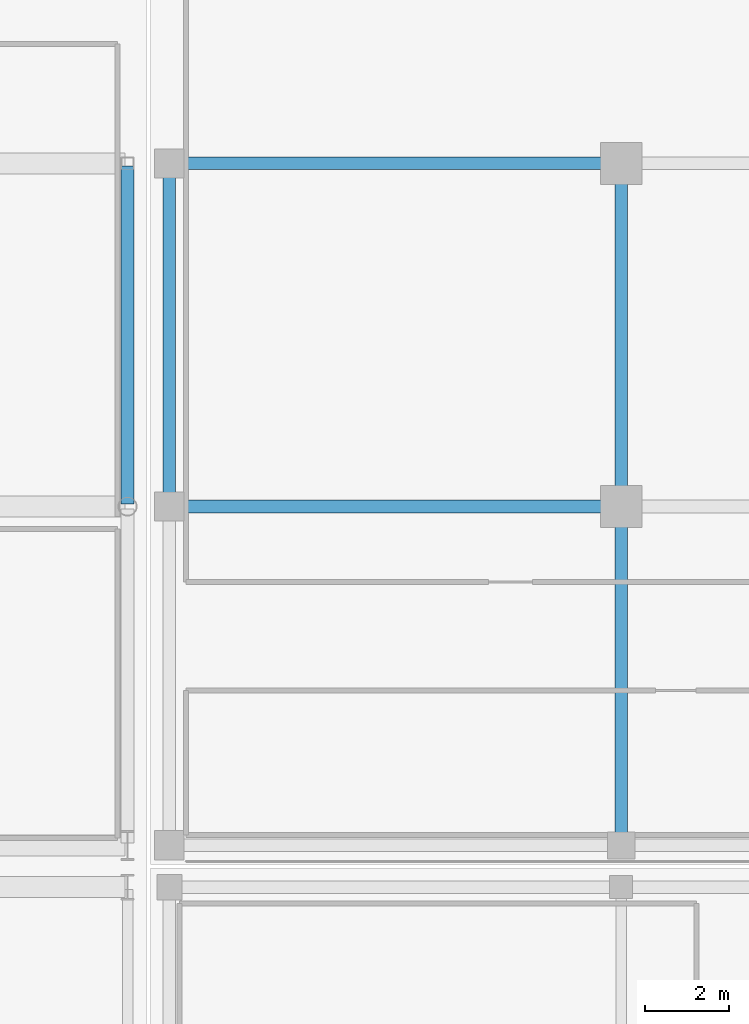
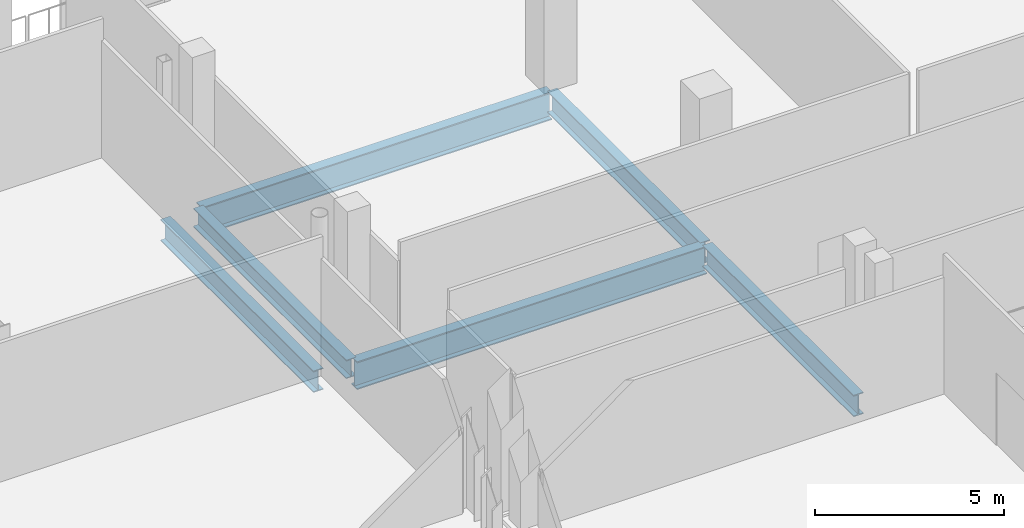
# One storey, part 61 of 142: 6 beams.
"""IFC4 building model written with IfcOpenShell, lengths in metres."""

import ifcopenshell
import ifcopenshell.guid

model = None  # the IFC model being written
_history = None  # IfcOwnerHistory: only IFC2X3 demands one
_inside = {}  # id of a spatial element -> (the spatial element, [elements in it])
_under = {}  # id of a project, library or spatial element -> (it, [spatial elements below it])
_declared = {}  # id of a project -> (the project, [libraries it declares])
_typed = {}  # id of a type object -> (the type object, [elements of that type])
_made_of = {}  # id of a material, layer set ... -> (it, [elements and type objects made of it])


def new_model(schema):
    """Start an empty IFC model of exactly this schema.

    Asked for "IFC4X3", IfcOpenShell would pick the latest addendum, in which some entities
    have other attributes; the version numbers below select the first issue.
    IFC2X3 requires an IfcOwnerHistory on every rooted entity: one is made here for all.
    """
    global model, _history
    if schema == "IFC4X3":
        model = ifcopenshell.file(schema_version=(4, 3, 0, 0))
    else:
        model = ifcopenshell.file(schema=schema)
    _inside.clear()
    _under.clear()
    _declared.clear()
    _typed.clear()
    _made_of.clear()
    _history = None
    if model.schema == "IFC2X3":
        org = make("IfcOrganization", Name="unknown")
        user = make(
            "IfcPersonAndOrganization",
            ThePerson=make("IfcPerson", FamilyName="unknown"),
            TheOrganization=org,
        )
        app = make(
            "IfcApplication",
            ApplicationDeveloper=org,
            Version="unknown",
            ApplicationFullName="unknown",
            ApplicationIdentifier="unknown",
        )
        _history = make(
            "IfcOwnerHistory",
            OwningUser=user,
            OwningApplication=app,
            ChangeAction="ADDED",
            CreationDate=0,
        )
    return model


def make(cls, **values):
    """One entity of the class cls with the attributes given. An attribute that is None is left unset."""
    return model.create_entity(
        cls, **{name: value for name, value in values.items() if value is not None}
    )


def rooted(cls, **values):
    """An entity with a GlobalId (a new one), such as an element, a storey or a relation."""
    return make(cls, GlobalId=ifcopenshell.guid.new(), OwnerHistory=_history, **values)


def si_unit(unit_type, name, prefix=None):
    """IfcSIUnit, for example si_unit("LENGTHUNIT", "METRE", prefix="MILLI")."""
    return make("IfcSIUnit", UnitType=unit_type, Prefix=prefix, Name=name)


def assignment(units):
    """IfcUnitAssignment: the units of a project."""
    return None if units is None else make("IfcUnitAssignment", Units=units)


def point(xyz):
    """IfcCartesianPoint."""
    return None if xyz is None else make("IfcCartesianPoint", Coordinates=xyz)


def direction(xyz):
    """IfcDirection."""
    return None if xyz is None else make("IfcDirection", DirectionRatios=xyz)


def frame(location, z_axis=None, x_axis=None):
    """IfcAxis2Placement3D, a coordinate frame: its origin and axes. An axis left out is left unset."""
    return make(
        "IfcAxis2Placement3D",
        Location=point(location),
        Axis=direction(z_axis),
        RefDirection=direction(x_axis),
    )


def frame_2d(location, x_axis=None):
    """IfcAxis2Placement2D, a coordinate frame in the plane: its origin and x axis."""
    return make(
        "IfcAxis2Placement2D", Location=point(location), RefDirection=direction(x_axis)
    )


def origin():
    """The frame at (0, 0, 0) with its axes left unset."""
    return frame((0.0, 0.0, 0.0))


def origin_2d():
    """The frame at (0, 0) in the plane with its x axis left unset."""
    return frame_2d((0.0, 0.0))


def place(relative_to, where):
    """IfcLocalPlacement: puts the frame where relative to a parent placement (None: the world)."""
    return make(
        "IfcLocalPlacement", PlacementRelTo=relative_to, RelativePlacement=where
    )


def context(
    kind, dimensions, precision=None, world=None, true_north=None, identifier=None
):
    """IfcGeometricRepresentationContext, for example the 3D "Model" context."""
    return make(
        "IfcGeometricRepresentationContext",
        ContextIdentifier=identifier,
        ContextType=kind,
        CoordinateSpaceDimension=dimensions,
        Precision=precision,
        WorldCoordinateSystem=world,
        TrueNorth=true_north,
    )


def subcontext(parent, identifier, kind, view, scale=None):
    """IfcGeometricRepresentationSubContext, for example "Body" below "Model"."""
    return make(
        "IfcGeometricRepresentationSubContext",
        ContextIdentifier=identifier,
        ContextType=kind,
        ParentContext=parent,
        TargetScale=scale,
        TargetView=view,
    )


def project(units=None, contexts=None):
    """IfcProject with its units and contexts."""
    return rooted(
        "IfcProject",
        Name="project",
        RepresentationContexts=contexts,
        UnitsInContext=assignment(units),
    )


def spatial(cls, under=None, at=None, **own):
    """A site, building, storey or space (cls), placed at a placement, below another one or the project."""
    s = rooted(cls, ObjectPlacement=at, **own)
    if under is not None:
        _under.setdefault(under.id(), (under, []))[1].append(s)
    return s


def profile(cls, at=None, kind="AREA", **sizes):
    """A parametric profile (cls). Its sizes go by their IFC names, for example OverallWidth=200.0."""
    return make(cls, ProfileType=kind, Position=at, **sizes)


def i_section(**sizes):
    """IfcIShapeProfileDef."""
    return profile("IfcIShapeProfileDef", **sizes)


def extrude(swept, where, along, depth):
    """IfcExtrudedAreaSolid: the profile swept, set in the frame where, extruded along a direction by depth."""
    return make(
        "IfcExtrudedAreaSolid",
        SweptArea=swept,
        Position=where,
        ExtrudedDirection=direction(along),
        Depth=depth,
    )


def shape(context_of_items, identifier, shape_type, items):
    """IfcShapeRepresentation: the items that make up one representation, for example the "Body"."""
    return make(
        "IfcShapeRepresentation",
        ContextOfItems=context_of_items,
        RepresentationIdentifier=identifier,
        RepresentationType=shape_type,
        Items=items,
    )


def material(Name=None, Category=None):
    """IfcMaterial."""
    return make("IfcMaterial", Name=Name, Category=Category)


def material_profile(
    of_material, cross_section, Name=None, Category=None, Priority=None
):
    """IfcMaterialProfile: a cross section and its material."""
    return make(
        "IfcMaterialProfile",
        Name=Name,
        Material=of_material,
        Profile=cross_section,
        Priority=Priority,
        Category=Category,
    )


def profile_set(profiles, Name=None, composite=None):
    """IfcMaterialProfileSet."""
    return make(
        "IfcMaterialProfileSet",
        Name=Name,
        MaterialProfiles=profiles,
        CompositeProfile=composite,
    )


def made_of(thing, what):
    """Note that an element or type object is made of a material, layer set ...; save() writes the relation."""
    if what is not None:
        _made_of.setdefault(what.id(), (what, []))[1].append(thing)
    return thing


def type_object(cls, material=None, **own):
    """A type object (cls), such as IfcWallType, which elements share."""
    return made_of(rooted(cls, **own), material)


def element(
    cls,
    number,
    at=None,
    inside=None,
    cuts=None,
    type_object=None,
    material=None,
    context=None,
    identifier="Body",
    shape_type=None,
    held_by="IfcProductDefinitionShape",
    body=None,
    shapes=None,
    **own,
):
    """One element of the class cls, such as IfcWall. Its Tag is "e" and its number.

    at: its placement. inside: the storey or other place that contains it. cuts: it is an
    opening in that element (IfcRelVoidsElement). A single representation is given by context,
    identifier, shape_type and body (its items); several are given by shapes. held_by: the class
    of the entity that holds the representations. save() writes the other relations.
    """
    e = rooted(cls, Tag="e%d" % number, ObjectPlacement=at, **own)
    if body is not None:
        shapes = [shape(context, identifier, shape_type, body)]
    if shapes is not None:
        e.Representation = make(held_by, Representations=shapes)
    if inside is not None:
        _inside.setdefault(inside.id(), (inside, []))[1].append(e)
    if cuts is not None:
        rooted(
            "IfcRelVoidsElement", RelatingBuildingElement=cuts, RelatedOpeningElement=e
        )
    if type_object is not None:
        _typed.setdefault(type_object.id(), (type_object, []))[1].append(e)
    return made_of(e, material)


def aggregate(whole, parts):
    """IfcRelAggregates: a whole, such as a stair, and the parts it consists of."""
    return rooted("IfcRelAggregates", RelatingObject=whole, RelatedObjects=parts)


def save(model, path):
    """Write the relations noted so far, then the file.

    IfcRelAggregates (storeys below a building ...), IfcRelContainedInSpatialStructure (elements
    in a storey), IfcRelDefinesByType, IfcRelAssociatesMaterial and IfcRelDeclares: one each for
    every whole, place, type object, material and project.
    """
    for whole, parts in _under.values():
        aggregate(whole, parts)
    for where, things in _inside.values():
        rooted(
            "IfcRelContainedInSpatialStructure",
            RelatedElements=things,
            RelatingStructure=where,
        )
    for kind, things in _typed.values():
        rooted("IfcRelDefinesByType", RelatedObjects=things, RelatingType=kind)
    for what, things in _made_of.values():
        rooted("IfcRelAssociatesMaterial", RelatedObjects=things, RelatingMaterial=what)
    for by, libraries in _declared.values():
        rooted("IfcRelDeclares", RelatingContext=by, RelatedDefinitions=libraries)
    model.write(path)


model = new_model("IFC4")

# Units and contexts
model_context = context("Model", 3, precision=1e-05, world=origin(), true_north=direction((0.0, 1.0)))
body_context = subcontext(model_context, "Body", "Model", "MODEL_VIEW")
ifc_project = project(units=[si_unit("LENGTHUNIT", "METRE"), si_unit("AREAUNIT", "SQUARE_METRE"), si_unit("VOLUMEUNIT", "CUBIC_METRE"), si_unit("PLANEANGLEUNIT", "RADIAN"), si_unit("MASSUNIT", "GRAM", prefix="KILO")], contexts=[model_context])

# Site, building, storey
site_placement = place(None, origin())
site = spatial("IfcSite", under=ifc_project, at=site_placement, CompositionType="ELEMENT")
building_placement = place(site_placement, origin())
building = spatial("IfcBuilding", under=site, at=building_placement, Name="Koshinbarg Plaza Stadium", CompositionType="ELEMENT")
storey_placement = place(building_placement, frame((0.0, 0.0, 10.199951171875)))
storey = spatial("IfcBuildingStorey", under=building, at=storey_placement, Name="L02", CompositionType="ELEMENT", Elevation=10.199951171875)

# Beams
ifc_material = material(Name="Steel S355", Category="steel")
ifc_material_profile_1 = material_profile(ifc_material, i_section(OverallWidth=0.300048828125, OverallDepth=0.60009765625, WebThickness=0.015380859375, FlangeThickness=0.030029296875, at=origin_2d()), Name="HEB 600")
ifc_profile_set_1 = profile_set([ifc_material_profile_1], Name="Steel S355")
beam_type_1 = type_object("IfcBeamType", Name="BM-SGIR-02", PredefinedType="USERDEFINED", material=ifc_profile_set_1)
beam_1_placement = place(storey_placement, frame((24.60009765625, 135.659912109375, -0.599853515625), z_axis=(0.0, 1.0, 0.0), x_axis=(-1.0, 0.0, 0.0)))
element("IfcBeam", 1, at=beam_1_placement, inside=storey, type_object=beam_type_1, Name="L02 Y girder 5/T-U", ObjectType="GIRDER", PredefinedType="USERDEFINED", context=body_context, shape_type="SweptSolid", body=[
    extrude(i_section(OverallWidth=0.300048828125, OverallDepth=0.60009765625, WebThickness=0.015380859375, FlangeThickness=0.030029296875, at=origin_2d()), origin(), (0.0, 0.0, 1.0), 8.080078125),
])
ifc_material_profile_2 = material_profile(ifc_material, i_section(OverallWidth=0.300048828125, OverallDepth=0.699951171875, WebThickness=0.01708984375, FlangeThickness=0.031982421875, at=origin_2d()), Name="HEB 700")
ifc_profile_set_2 = profile_set([ifc_material_profile_2], Name="Steel S355")
beam_type_2 = type_object("IfcBeamType", Name="BM-SGIR-03", PredefinedType="USERDEFINED", material=ifc_profile_set_2)
beam_2_placement = place(storey_placement, frame((23.60009765625, 135.659912109375, -0.64990234375), z_axis=(0.0, 1.0, 0.0), x_axis=(-1.0, 0.0, 0.0)))
element("IfcBeam", 2, at=beam_2_placement, inside=storey, type_object=beam_type_2, Name="L02 Y girder 4/T-U", ObjectType="GIRDER", PredefinedType="USERDEFINED", context=body_context, shape_type="SweptSolid", body=[
    extrude(i_section(OverallWidth=0.300048828125, OverallDepth=0.699951171875, WebThickness=0.01708984375, FlangeThickness=0.031982421875, at=origin_2d()), origin(), (0.0, 0.0, 1.0), 8.080078125),
])
beam_3_placement = place(storey_placement, frame((35.39990234375, 127.56005859375, -0.64990234375), z_axis=(0.0, 1.0, 0.0), x_axis=(-1.0, 0.0, 0.0)))
element("IfcBeam", 3, at=beam_3_placement, inside=storey, type_object=beam_type_2, Name="L02 Y girder 6/S-T", ObjectType="GIRDER", PredefinedType="USERDEFINED", context=body_context, shape_type="SweptSolid", body=[
    extrude(i_section(OverallWidth=0.300048828125, OverallDepth=0.699951171875, WebThickness=0.01708984375, FlangeThickness=0.031982421875, at=origin_2d()), origin(), (0.0, 0.0, 1.0), 7.97998046875),
])
beam_4_placement = place(storey_placement, frame((35.39990234375, 135.659912109375, -0.64990234375), z_axis=(0.0, 1.0, 0.0), x_axis=(-1.0, 0.0, 0.0)))
element("IfcBeam", 4, at=beam_4_placement, inside=storey, type_object=beam_type_2, Name="L02 Y girder 6/T-U", ObjectType="GIRDER", PredefinedType="USERDEFINED", context=body_context, shape_type="SweptSolid", body=[
    extrude(i_section(OverallWidth=0.300048828125, OverallDepth=0.699951171875, WebThickness=0.01708984375, FlangeThickness=0.031982421875, at=origin_2d()), origin(), (0.0, 0.0, 1.0), 8.080078125),
])
ifc_material_profile_3 = material_profile(ifc_material, i_section(OverallWidth=0.300048828125, OverallDepth=0.89990234375, WebThickness=0.0185546875, FlangeThickness=0.034912109375, at=origin_2d()), Name="HEB 900")
ifc_profile_set_3 = profile_set([ifc_material_profile_3], Name="Steel S355")
beam_type_3 = type_object("IfcBeamType", Name="BM-SGIR-05", PredefinedType="USERDEFINED", material=ifc_profile_set_3)
for number, where, z_axis, x_axis, name in (
    (5, (24.659912109375, 135.60009765625, -0.75), (1.0, 0.0, 0.0), (0.0, 1.0, 0.0), "L02 X girder T/5-6"),
    (6, (24.659912109375, 143.800048828125, -0.75), (1.0, 0.0, 0.0), (0.0, 1.0, 0.0), "L02 X girder U/5-6"),
):
    element("IfcBeam", number, at=place(storey_placement, frame(where, z_axis=z_axis, x_axis=x_axis)), inside=storey, type_object=beam_type_3, Name=name, ObjectType="GIRDER", PredefinedType="USERDEFINED", context=body_context, shape_type="SweptSolid", body=[
        extrude(i_section(OverallWidth=0.300048828125, OverallDepth=0.89990234375, WebThickness=0.0185546875, FlangeThickness=0.034912109375, at=origin_2d()), origin(), (0.0, 0.0, 1.0), 10.68017578125),
    ])

save(model, "model.ifc")
